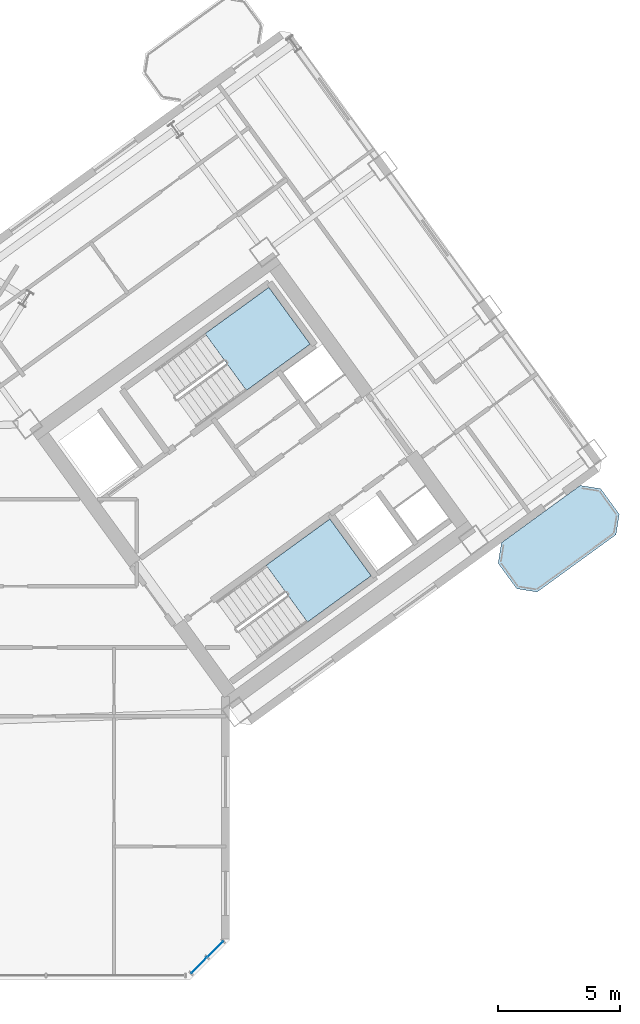
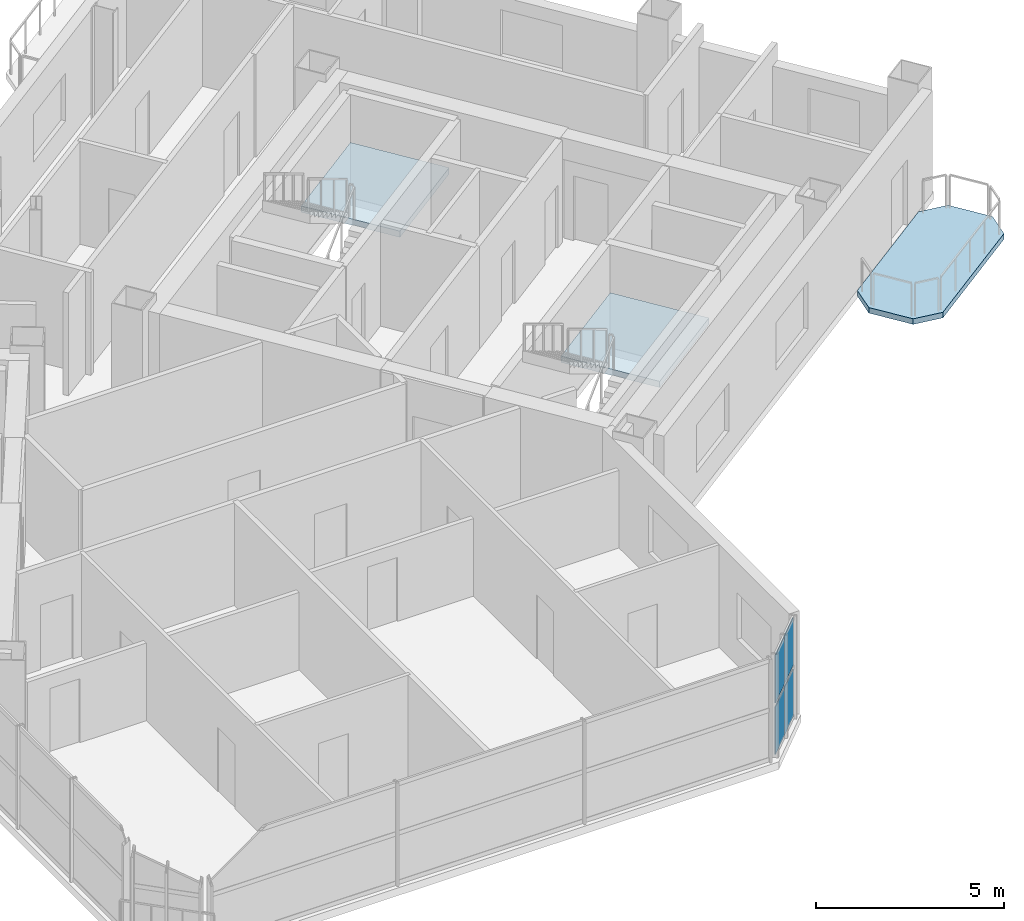
# One storey, part 10 of 20: 4 plates, 3 slabs, 3 elements without a shape of their own.
"""IFC4 building model written with IfcOpenShell, lengths in metres."""

from ifc_helpers import new_model, si_unit, direction, frame, origin, origin_2d, place, context, subcontext, project, spatial, polyline, rectangle, outline, extrude, source, transform, mapped, material, layer, layer_set, type_object, element, aggregate, save


model = new_model("IFC4")

# Units and contexts
model_context = context("Model", 3, precision=1e-05, world=origin(), true_north=direction((0.0, 1.0)))
body_context = subcontext(model_context, "Body", "Model", "MODEL_VIEW")
ifc_project = project(units=[si_unit("LENGTHUNIT", "METRE"), si_unit("AREAUNIT", "SQUARE_METRE"), si_unit("VOLUMEUNIT", "CUBIC_METRE"), si_unit("PLANEANGLEUNIT", "RADIAN"), si_unit("MASSUNIT", "GRAM", prefix="KILO")], contexts=[model_context])

# Site, building, storey
site_placement = place(None, origin())
site = spatial("IfcSite", under=ifc_project, at=site_placement, CompositionType="ELEMENT")
building_placement = place(site_placement, origin())
building = spatial("IfcBuilding", under=site, at=building_placement, Name="Tlacorven Tower", CompositionType="ELEMENT")
storey_placement = place(building_placement, frame((0.0, 0.0, 116.10009765625)))
storey = spatial("IfcBuildingStorey", under=building, at=storey_placement, Name="L29", CompositionType="ELEMENT", Elevation=116.10009765625)

# Slab
ifc_material_1 = material(Name="Precast concrete C45/55", Category="concrete")
ifc_layer_1 = layer(ifc_material_1, 0.179931640625)
ifc_layer_set_1 = layer_set([ifc_layer_1], Name="Precast concrete C45/55")
slab_type_1 = type_object("IfcSlabType", Name="SL-BAL-180", PredefinedType="USERDEFINED", material=ifc_layer_set_1)
slab_1_placement = place(storey_placement, frame((0.0, 0.0, -0.18017578125)))
element("IfcSlab", 1, at=slab_1_placement, inside=storey, type_object=slab_type_1, Name="L29 East Wing Balcony Ribbon OUT", ObjectType="BALCONY SLAB", PredefinedType="USERDEFINED", context=body_context, shape_type="SweptSolid", body=[
    extrude(outline(polyline([(65.025634765625, 17.69482421875), (68.26171875, 20.046142578125), (68.394287109375, 20.884033203125), (67.633056640625, 21.931884765625), (66.795166015625, 22.064453125), (63.55908203125, 19.71337890625), (63.42626953125, 18.875244140625), (64.1875, 17.82763671875), (65.025634765625, 17.69482421875)])), origin(), (0.0, 0.0, 1.0), 0.18017578125),
])

# Stair, slab
ifc_material_2 = material(Name="Concrete C40/50", Category="concrete")
stair_type = type_object("IfcStairType", Name="ST-CORE-DLG", PredefinedType="HALF_TURN_STAIR", material=ifc_material_2)
stair_1_placement = place(storey_placement, origin())
stair_1 = element("IfcStair", 2, at=stair_1_placement, inside=storey, type_object=stair_type, Name="L29 Protected Exit Stair East 1", PredefinedType="HALF_TURN_STAIR")
ifc_layer_2 = layer(ifc_material_2, 0.199951171875)
ifc_layer_set_2 = layer_set([ifc_layer_2], Name="Concrete C40/50")
slab_type_2 = type_object("IfcSlabType", Name="SL-LND-200", PredefinedType="LANDING", material=ifc_layer_set_2)
slab_2_placement = place(storey_placement, frame((0.0, 0.0, 1.599853515625)))
slab_2 = element("IfcSlab", 3, at=slab_2_placement, type_object=slab_type_2, Name="ST-E1 landing 1", PredefinedType="LANDING", context=body_context, shape_type="SweptSolid", body=[
    extrude(outline(polyline([(53.09765625, 25.962890625), (55.7109375, 27.861572265625), (54.01806640625, 30.19140625), (51.40478515625, 28.29296875), (53.09765625, 25.962890625)])), origin(), (0.0, 0.0, 1.0), 0.199951171875),
])
aggregate(stair_1, [slab_2])

stair_2_placement = place(storey_placement, origin())
stair_2 = element("IfcStair", 4, at=stair_2_placement, inside=storey, type_object=stair_type, Name="L29 Protected Exit Stair East 2", PredefinedType="HALF_TURN_STAIR")
slab_3_placement = place(storey_placement, frame((0.0, 0.0, 1.599853515625)))
slab_3 = element("IfcSlab", 5, at=slab_3_placement, type_object=slab_type_2, Name="ST-E2 landing 1", PredefinedType="LANDING", context=body_context, shape_type="SweptSolid", body=[
    extrude(outline(polyline([(55.601806640625, 16.4599609375), (58.21484375, 18.3583984375), (56.52197265625, 20.6884765625), (53.908935546875, 18.789794921875), (55.601806640625, 16.4599609375)])), origin(), (0.0, 0.0, 1.0), 0.199951171875),
])
aggregate(stair_2, [slab_3])

# Curtain wall, plates
ifc_material_3 = material(Name="Dark solar low-E double glazing in aluminium frame", Category="aluminium")
curtain_wall_type = type_object("IfcCurtainWallType", Name="CW-TWR-MID", PredefinedType="USERDEFINED", material=ifc_material_3)
curtain_wall_placement = place(storey_placement, origin())
curtain_wall = element("IfcCurtainWall", 6, at=curtain_wall_placement, inside=storey, type_object=curtain_wall_type, Name="L29 CW-TWR-MID Curtain Wall 143", ObjectType="UNITISED CURTAIN WALL", PredefinedType="USERDEFINED")
ifc_material_4 = material(Name="High-wind dark solar tempered low-E glazing", Category="glass")
ifc_layer_3 = layer(ifc_material_4, 0.028076171875)
ifc_layer_set_3 = layer_set([ifc_layer_3], Name="High-wind dark solar tempered low-E glazing")
plate_type = type_object("IfcPlateType", Name="CWP-03", PredefinedType="CURTAIN_PANEL", material=ifc_layer_set_3)
shared_shape = source(origin(), body_context, "Body", "SweptSolid", [
    extrude(rectangle(XDim=0.885498046875, YDim=0.028076171875, at=origin_2d()), origin(), (0.0, 0.0, 1.0), 1.552978515625),
])
plate_1_placement = place(storey_placement, frame((51.816650390625, 3.04296875, 0.06103515625), z_axis=(0.0, 0.0, 1.0), x_axis=(-0.707106781187, -0.707106781187, 0.0)))
plate_1 = element("IfcPlate", 7, at=plate_1_placement, type_object=plate_type, Name="CW-L29-143 Glazing Panel 1", PredefinedType="CURTAIN_PANEL", context=body_context, shape_type="MappedRepresentation", body=[
    mapped(shared_shape, transform((0.0, 0.0, 0.0), scale=1.0)),
])
plate_2_placement = place(storey_placement, frame((51.816650390625, 3.04296875, 1.73583984375), z_axis=(0.0, 0.0, 1.0), x_axis=(-0.707106781187, -0.707106781187, 0.0)))
plate_2 = element("IfcPlate", 8, at=plate_2_placement, type_object=plate_type, Name="CW-L29-143 Glazing Panel 2", PredefinedType="CURTAIN_PANEL", context=body_context, shape_type="MappedRepresentation", body=[
    mapped(shared_shape, transform((0.0, 0.0, 0.0), scale=1.0)),
])
plate_3_placement = place(storey_placement, frame((51.1572265625, 2.38330078125, 0.06103515625), z_axis=(0.0, 0.0, 1.0), x_axis=(-0.707106781187, -0.707106781187, 0.0)))
plate_3 = element("IfcPlate", 9, at=plate_3_placement, type_object=plate_type, Name="CW-L29-143 Glazing Panel 3", PredefinedType="CURTAIN_PANEL", context=body_context, shape_type="MappedRepresentation", body=[
    mapped(shared_shape, transform((0.0, 0.0, 0.0), scale=1.0)),
])
plate_4_placement = place(storey_placement, frame((51.1572265625, 2.38330078125, 1.73583984375), z_axis=(0.0, 0.0, 1.0), x_axis=(-0.707106781187, -0.707106781187, 0.0)))
plate_4 = element("IfcPlate", 10, at=plate_4_placement, type_object=plate_type, Name="CW-L29-143 Glazing Panel 4", PredefinedType="CURTAIN_PANEL", context=body_context, shape_type="MappedRepresentation", body=[
    mapped(shared_shape, transform((0.0, 0.0, 0.0), scale=1.0)),
])
aggregate(curtain_wall, [plate_1, plate_2, plate_3, plate_4])

save(model, "model.ifc")
